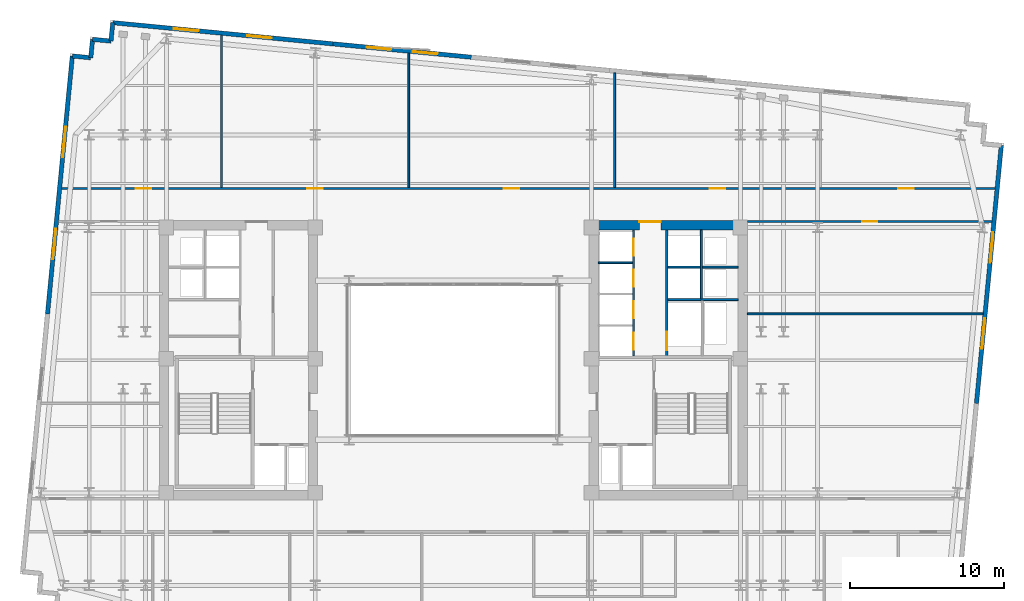
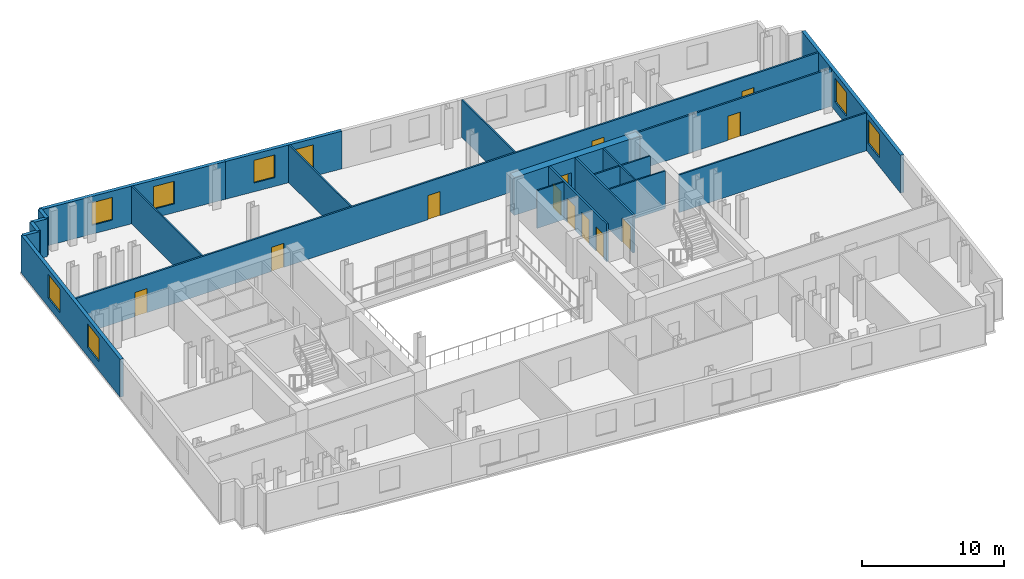
# One storey, part 7 of 10: 22 walls, 12 doors, 8 windows, 20 openings.
"""IFC4 building model written with IfcOpenShell, lengths in metres."""

from ifc_helpers import new_model, si_unit, direction, frame, frame_2d, origin, place, context, subcontext, project, spatial, rectangle, extrude, material, layer, layer_set, type_object, element, fill, save


model = new_model("IFC4")

# Units and contexts
model_context = context("Model", 3, precision=1e-05, world=origin(), true_north=direction((0.0, 1.0)))
body_context = subcontext(model_context, "Body", "Model", "MODEL_VIEW")
ifc_project = project(units=[si_unit("LENGTHUNIT", "METRE"), si_unit("AREAUNIT", "SQUARE_METRE"), si_unit("VOLUMEUNIT", "CUBIC_METRE"), si_unit("PLANEANGLEUNIT", "RADIAN"), si_unit("MASSUNIT", "GRAM", prefix="KILO")], contexts=[model_context])

# Site, building, storey
site_placement = place(None, origin())
site = spatial("IfcSite", under=ifc_project, at=site_placement, CompositionType="ELEMENT")
building_placement = place(site_placement, origin())
building = spatial("IfcBuilding", under=site, at=building_placement, Name="Velakula Bourse", CompositionType="ELEMENT")
storey_placement = place(building_placement, frame((0.0, 0.0, 174.199951171875)))
storey = spatial("IfcBuildingStorey", under=building, at=storey_placement, Name="L47", CompositionType="ELEMENT", Elevation=174.199951171875)

# Wall, opening, door
ifc_material_1 = material(Name="Concrete M70 (fck 70 MPa)", Category="concrete")
ifc_layer_1 = layer(ifc_material_1, 0.60009765625, Name="Concrete M70 (fck 70 MPa)", Category="concrete")
ifc_layer_set_1 = layer_set([ifc_layer_1], Name="Concrete M70 (fck 70 MPa)")
wall_type_1 = type_object("IfcWallType", Name="WL-CORE-600", PredefinedType="SHEAR", material=ifc_layer_set_1)
wall_1_placement = place(storey_placement, frame((8.800048828125, 8.75, 0.0), z_axis=(0.0, 0.0, 1.0), x_axis=(1.0, 0.0, 0.0)))
wall_1 = element("IfcWall", 1, at=wall_1_placement, inside=storey, type_object=wall_type_1, Name="L47 Core E Shear Wall N", PredefinedType="SHEAR", context=body_context, shape_type="SweptSolid", body=[
    extrude(rectangle(XDim=10.25, YDim=0.60009765625, at=frame_2d((5.125, 0.0))), origin(), (0.0, 0.0, 1.0), 3.27001953125),
])
opening_1_placement = place(wall_1_placement, frame((3.25, 0.0, 0.0)))
opening_1 = element("IfcOpeningElement", 2, at=opening_1_placement, cuts=wall_1, Name="Opening D-LLE", PredefinedType="OPENING", context=body_context, shape_type="SweptSolid", body=[
    extrude(rectangle(XDim=1.39990234375, YDim=2.050048828125, at=frame_2d((0.699951171875, 1.02490234375))), frame((0.0, 0.31005859375, 0.0), z_axis=(0.0, -1.0, 0.0), x_axis=(1.0, 0.0, 0.0)), (0.0, 0.0, 1.0), 0.6201171875),
])
ifc_material_2 = material(Name="Fire-rated hardwood flush architectural door", Category="wood")
door_type_1 = type_object("IfcDoorType", Name="DR-DBL-FD60-1400", OperationType="DOUBLE_DOOR_SINGLE_SWING", PredefinedType="DOOR", material=ifc_material_2)
door_1_placement = place(opening_1_placement, origin())
door_1 = element("IfcDoor", 3, at=door_1_placement, inside=storey, type_object=door_type_1, Name="L47 Core E Lift Lobby Corridor Double Door", OperationType="DOUBLE_DOOR_SINGLE_SWING", OverallHeight=2.050048828125, OverallWidth=1.39990234375, PredefinedType="DOOR", context=body_context, shape_type="SweptSolid", body=[
    extrude(rectangle(XDim=1.39990234375, YDim=2.050048828125, at=frame_2d((0.699951171875, 1.02490234375))), frame((0.0, 0.2451171875, 0.0), z_axis=(0.0, -1.0, 0.0), x_axis=(1.0, 0.0, 0.0)), (0.0, 0.0, 1.0), 0.050048828125),
])
fill(opening_1, door_1)

# Wall, openings, windows
ifc_material_3 = material(Name="Red kilned clay facing brick masonry", Category="masonry")
ifc_layer_2 = layer(ifc_material_3, 0.280029296875, Name="Red kilned clay facing brick masonry", Category="masonry")
ifc_layer_set_2 = layer_set([ifc_layer_2], Name="Red kilned clay facing brick masonry")
wall_type_2 = type_object("IfcWallType", Name="WL-EXT-BRK-280", PredefinedType="STANDARD", material=ifc_layer_set_2)
wall_2_placement = place(storey_placement, frame((-22.072509765625, 21.8701171875, 0.0), z_axis=(0.0, 0.0, 1.0), x_axis=(0.995395606285, -0.095851901334, 0.0)))
wall_2 = element("IfcWall", 4, at=wall_2_placement, inside=storey, type_object=wall_type_2, Name="L47 N Brick Spandrel Wall B1", PredefinedType="STANDARD", context=body_context, shape_type="SweptSolid", body=[
    extrude(rectangle(XDim=14.33984375, YDim=0.280029296875, at=frame_2d((7.169921875, 0.0))), origin(), (0.0, 0.0, 1.0), 3.25),
])
opening_2_placement = place(wall_2_placement, frame((3.97998046875, 0.0, 0.760009765625)))
opening_2 = element("IfcOpeningElement", 5, at=opening_2_placement, cuts=wall_2, Name="Opening W-02", PredefinedType="OPENING", context=body_context, shape_type="SweptSolid", body=[
    extrude(rectangle(XDim=1.60009765625, YDim=1.949951171875, at=frame_2d((0.800048828125, 0.97509765625))), frame((0.0, 0.14990234375, 0.0), z_axis=(0.0, -1.0, 0.0), x_axis=(1.0, 0.0, 0.0)), (0.0, 0.0, 1.0), 0.300048828125),
])
opening_3_placement = place(wall_2_placement, frame((8.760009765625, 0.0, 0.760009765625)))
opening_3 = element("IfcOpeningElement", 6, at=opening_3_placement, cuts=wall_2, Name="Opening W-02", PredefinedType="OPENING", context=body_context, shape_type="SweptSolid", body=[
    extrude(rectangle(XDim=1.60009765625, YDim=1.949951171875, at=frame_2d((0.800048828125, 0.97509765625))), frame((0.0, 0.14990234375, 0.0), z_axis=(0.0, -1.0, 0.0), x_axis=(1.0, 0.0, 0.0)), (0.0, 0.0, 1.0), 0.300048828125),
])
ifc_material_4 = material(Name="Double-glazed solar-control Low-E glass", Category="glass")
window_type_1 = type_object("IfcWindowType", Name="WIN-TWR-1600x2100", PartitioningType="SINGLE_PANEL", PredefinedType="WINDOW", material=ifc_material_4)
window_1_placement = place(opening_2_placement, origin())
window_1 = element("IfcWindow", 7, at=window_1_placement, inside=storey, type_object=window_type_1, Name="L47 Deep-Set Recessed Window 1", OverallHeight=1.949951171875, OverallWidth=1.60009765625, PartitioningType="SINGLE_PANEL", PredefinedType="WINDOW", context=body_context, shape_type="SweptSolid", body=[
    extrude(rectangle(XDim=1.60009765625, YDim=1.949951171875, at=frame_2d((0.800048828125, 0.97509765625))), frame((0.0, 0.030029296875, 0.0), z_axis=(0.0, -1.0, 0.0), x_axis=(1.0, 0.0, 0.0)), (0.0, 0.0, 1.0), 0.06005859375),
])
fill(opening_2, window_1)
window_2_placement = place(opening_3_placement, origin())
window_2 = element("IfcWindow", 8, at=window_2_placement, inside=storey, type_object=window_type_1, Name="L47 Deep-Set Recessed Window 2", OverallHeight=1.949951171875, OverallWidth=1.60009765625, PartitioningType="SINGLE_PANEL", PredefinedType="WINDOW", context=body_context, shape_type="SweptSolid", body=[
    extrude(rectangle(XDim=1.60009765625, YDim=1.949951171875, at=frame_2d((0.800048828125, 0.97509765625))), frame((0.0, 0.030029296875, 0.0), z_axis=(0.0, -1.0, 0.0), x_axis=(1.0, 0.0, 0.0)), (0.0, 0.0, 1.0), 0.06005859375),
])
fill(opening_3, window_2)

wall_3_placement = place(storey_placement, frame((-7.798583984375, 20.49560546875, 0.0), z_axis=(0.0, 0.0, 1.0), x_axis=(0.995396794462, -0.09583956164, 0.0)))
wall_3 = element("IfcWall", 9, at=wall_3_placement, inside=storey, type_object=wall_type_2, Name="L47 N Brick Spandrel Wall B2", PredefinedType="STANDARD", context=body_context, shape_type="SweptSolid", body=[
    extrude(rectangle(XDim=9.0, YDim=0.280029296875, at=frame_2d((4.5, 0.0))), origin(), (0.0, 0.0, 1.0), 3.25),
])
opening_4_placement = place(wall_3_placement, frame((2.199951171875, 0.0, 0.760009765625)))
opening_4 = element("IfcOpeningElement", 10, at=opening_4_placement, cuts=wall_3, Name="Opening W-02", PredefinedType="OPENING", context=body_context, shape_type="SweptSolid", body=[
    extrude(rectangle(XDim=1.60009765625, YDim=1.949951171875, at=frame_2d((0.800048828125, 0.97509765625))), frame((0.0, 0.14990234375, 0.0), z_axis=(0.0, -1.0, 0.0), x_axis=(1.0, 0.0, 0.0)), (0.0, 0.0, 1.0), 0.300048828125),
])
opening_5_placement = place(wall_3_placement, frame((5.199951171875, 0.0, 0.760009765625)))
opening_5 = element("IfcOpeningElement", 11, at=opening_5_placement, cuts=wall_3, Name="Opening W-02", PredefinedType="OPENING", context=body_context, shape_type="SweptSolid", body=[
    extrude(rectangle(XDim=1.60009765625, YDim=1.949951171875, at=frame_2d((0.800048828125, 0.97509765625))), frame((0.0, 0.14990234375, 0.0), z_axis=(0.0, -1.0, 0.0), x_axis=(1.0, 0.0, 0.0)), (0.0, 0.0, 1.0), 0.300048828125),
])
window_3_placement = place(opening_4_placement, origin())
window_3 = element("IfcWindow", 12, at=window_3_placement, inside=storey, type_object=window_type_1, Name="L47 Deep-Set Recessed Window 1", OverallHeight=1.949951171875, OverallWidth=1.60009765625, PartitioningType="SINGLE_PANEL", PredefinedType="WINDOW", context=body_context, shape_type="SweptSolid", body=[
    extrude(rectangle(XDim=1.60009765625, YDim=1.949951171875, at=frame_2d((0.800048828125, 0.97509765625))), frame((0.0, 0.030029296875, 0.0), z_axis=(0.0, -1.0, 0.0), x_axis=(1.0, 0.0, 0.0)), (0.0, 0.0, 1.0), 0.06005859375),
])
fill(opening_4, window_3)
window_4_placement = place(opening_5_placement, origin())
window_4 = element("IfcWindow", 13, at=window_4_placement, inside=storey, type_object=window_type_1, Name="L47 Deep-Set Recessed Window 2", OverallHeight=1.949951171875, OverallWidth=1.60009765625, PartitioningType="SINGLE_PANEL", PredefinedType="WINDOW", context=body_context, shape_type="SweptSolid", body=[
    extrude(rectangle(XDim=1.60009765625, YDim=1.949951171875, at=frame_2d((0.800048828125, 0.97509765625))), frame((0.0, 0.030029296875, 0.0), z_axis=(0.0, -1.0, 0.0), x_axis=(1.0, 0.0, 0.0)), (0.0, 0.0, 1.0), 0.06005859375),
])
fill(opening_5, window_4)

wall_4_placement = place(storey_placement, frame((-26.30078125, 2.998291015625, 0.0), z_axis=(0.0, 0.0, 1.0), x_axis=(0.095837640115, 0.99539697947, 0.0)))
wall_4 = element("IfcWall", 14, at=wall_4_placement, inside=storey, type_object=wall_type_2, Name="L47 W Brick End Wall W2", PredefinedType="STANDARD", context=body_context, shape_type="SweptSolid", body=[
    extrude(rectangle(XDim=16.790283203125, YDim=0.280029296875, at=frame_2d((8.39501953125, 0.0))), origin(), (0.0, 0.0, 1.0), 3.25),
])
opening_6_placement = place(wall_4_placement, frame((3.546630859375, 0.0, 0.760009765625)))
opening_6 = element("IfcOpeningElement", 15, at=opening_6_placement, cuts=wall_4, Name="Opening W-05", PredefinedType="OPENING", context=body_context, shape_type="SweptSolid", body=[
    extrude(rectangle(XDim=2.0, YDim=2.050048828125, at=frame_2d((1.0, 1.02490234375))), frame((0.0, 0.14990234375, 0.0), z_axis=(0.0, -1.0, 0.0), x_axis=(1.0, 0.0, 0.0)), (0.0, 0.0, 1.0), 0.300048828125),
])
opening_7_placement = place(wall_4_placement, frame((10.193359375, 0.0, 0.760009765625)))
opening_7 = element("IfcOpeningElement", 16, at=opening_7_placement, cuts=wall_4, Name="Opening W-05", PredefinedType="OPENING", context=body_context, shape_type="SweptSolid", body=[
    extrude(rectangle(XDim=2.0, YDim=2.050048828125, at=frame_2d((1.0, 1.02490234375))), frame((0.0, 0.14990234375, 0.0), z_axis=(0.0, -1.0, 0.0), x_axis=(1.0, 0.0, 0.0)), (0.0, 0.0, 1.0), 0.300048828125),
])
window_type_2 = type_object("IfcWindowType", Name="WIN-TWR-2000x2200", PartitioningType="DOUBLE_PANEL_VERTICAL", PredefinedType="WINDOW", material=ifc_material_4)
window_5_placement = place(opening_6_placement, origin())
window_5 = element("IfcWindow", 17, at=window_5_placement, inside=storey, type_object=window_type_2, Name="L47 Deep-Set Recessed Window 1", OverallHeight=2.050048828125, OverallWidth=2.0, PartitioningType="DOUBLE_PANEL_VERTICAL", PredefinedType="WINDOW", context=body_context, shape_type="SweptSolid", body=[
    extrude(rectangle(XDim=2.0, YDim=2.050048828125, at=frame_2d((1.0, 1.02490234375))), frame((0.0, 0.030029296875, 0.0), z_axis=(0.0, -1.0, 0.0), x_axis=(1.0, 0.0, 0.0)), (0.0, 0.0, 1.0), 0.06005859375),
])
fill(opening_6, window_5)
window_6_placement = place(opening_7_placement, origin())
window_6 = element("IfcWindow", 18, at=window_6_placement, inside=storey, type_object=window_type_2, Name="L47 Deep-Set Recessed Window 2", OverallHeight=2.050048828125, OverallWidth=2.0, PartitioningType="DOUBLE_PANEL_VERTICAL", PredefinedType="WINDOW", context=body_context, shape_type="SweptSolid", body=[
    extrude(rectangle(XDim=2.0, YDim=2.050048828125, at=frame_2d((1.0, 1.02490234375))), frame((0.0, 0.030029296875, 0.0), z_axis=(0.0, -1.0, 0.0), x_axis=(1.0, 0.0, 0.0)), (0.0, 0.0, 1.0), 0.06005859375),
])
fill(opening_7, window_6)

wall_5_placement = place(storey_placement, frame((35.510009765625, 13.914306640625, 0.0), z_axis=(0.0, 0.0, 1.0), x_axis=(-0.095839027265, -0.995396845913, 0.0)))
wall_5 = element("IfcWall", 19, at=wall_5_placement, inside=storey, type_object=wall_type_2, Name="L47 E Brick End Wall W2", PredefinedType="STANDARD", context=body_context, shape_type="SweptSolid", body=[
    extrude(rectangle(XDim=16.7900390625, YDim=0.280029296875, at=frame_2d((8.39501953125, 0.0))), origin(), (0.0, 0.0, 1.0), 3.25),
])
opening_8_placement = place(wall_5_placement, frame((5.646728515625, 0.0, 0.760009765625)))
opening_8 = element("IfcOpeningElement", 20, at=opening_8_placement, cuts=wall_5, Name="Opening W-05", PredefinedType="OPENING", context=body_context, shape_type="SweptSolid", body=[
    extrude(rectangle(XDim=2.0, YDim=2.050048828125, at=frame_2d((1.0, 1.02490234375))), frame((0.0, 0.14990234375, 0.0), z_axis=(0.0, -1.0, 0.0), x_axis=(1.0, 0.0, 0.0)), (0.0, 0.0, 1.0), 0.300048828125),
])
opening_9_placement = place(wall_5_placement, frame((11.243408203125, 0.0, 0.760009765625)))
opening_9 = element("IfcOpeningElement", 21, at=opening_9_placement, cuts=wall_5, Name="Opening W-05", PredefinedType="OPENING", context=body_context, shape_type="SweptSolid", body=[
    extrude(rectangle(XDim=2.0, YDim=2.050048828125, at=frame_2d((1.0, 1.02490234375))), frame((0.0, 0.14990234375, 0.0), z_axis=(0.0, -1.0, 0.0), x_axis=(1.0, 0.0, 0.0)), (0.0, 0.0, 1.0), 0.300048828125),
])
window_7_placement = place(opening_8_placement, origin())
window_7 = element("IfcWindow", 22, at=window_7_placement, inside=storey, type_object=window_type_2, Name="L47 Deep-Set Recessed Window 1", OverallHeight=2.050048828125, OverallWidth=2.0, PartitioningType="DOUBLE_PANEL_VERTICAL", PredefinedType="WINDOW", context=body_context, shape_type="SweptSolid", body=[
    extrude(rectangle(XDim=2.0, YDim=2.050048828125, at=frame_2d((1.0, 1.02490234375))), frame((0.0, 0.030029296875, 0.0), z_axis=(0.0, -1.0, 0.0), x_axis=(1.0, 0.0, 0.0)), (0.0, 0.0, 1.0), 0.06005859375),
])
fill(opening_8, window_7)
window_8_placement = place(opening_9_placement, origin())
window_8 = element("IfcWindow", 23, at=window_8_placement, inside=storey, type_object=window_type_2, Name="L47 Deep-Set Recessed Window 2", OverallHeight=2.050048828125, OverallWidth=2.0, PartitioningType="DOUBLE_PANEL_VERTICAL", PredefinedType="WINDOW", context=body_context, shape_type="SweptSolid", body=[
    extrude(rectangle(XDim=2.0, YDim=2.050048828125, at=frame_2d((1.0, 1.02490234375))), frame((0.0, 0.030029296875, 0.0), z_axis=(0.0, -1.0, 0.0), x_axis=(1.0, 0.0, 0.0)), (0.0, 0.0, 1.0), 0.06005859375),
])
fill(opening_9, window_8)

# Walls
for number, where, z_axis, x_axis, name in (
    (24, (-22.072509765625, 21.8701171875, 0.0), (0.0, 0.0, 1.0), (-0.095817067274, -0.995398960025, 0.0), "L47 Serrated Corner Brick Wall NW-1"),
    (25, (-22.1875, 20.675537109375, 0.0), (0.0, 0.0, 1.0), (-0.995398960025, 0.095817067274, 0.0), "L47 Serrated Corner Brick Wall NW-2"),
    (26, (-23.382080078125, 20.79052734375, 0.0), (0.0, 0.0, 1.0), (-0.095817067274, -0.995398960025, 0.0), "L47 Serrated Corner Brick Wall NW-3"),
    (27, (-23.4970703125, 19.595947265625, 0.0), (0.0, 0.0, 1.0), (-0.995379537303, 0.096018626938, 0.0), "L47 Serrated Corner Brick Wall NW-4"),
):
    element("IfcWall", number, at=place(storey_placement, frame(where, z_axis=z_axis, x_axis=x_axis)), inside=storey, type_object=wall_type_2, Name=name, PredefinedType="STANDARD", context=body_context, shape_type="SweptSolid", body=[
        extrude(rectangle(XDim=1.2001953125, YDim=0.280029296875, at=frame_2d((0.60009765625, 0.0))), origin(), (0.0, 0.0, 1.0), 3.25),
    ])
ifc_material_5 = material(Name="Fire-rated double-layer gypsum drywall partition", Category="gypsum")
ifc_layer_3 = layer(ifc_material_5, 0.1201171875, Name="Fire-rated double-layer gypsum drywall partition", Category="gypsum")
ifc_layer_set_3 = layer_set([ifc_layer_3], Name="Fire-rated double-layer gypsum drywall partition")
wall_type_3 = type_object("IfcWallType", Name="WL-PART-120", PredefinedType="STANDARD", material=ifc_layer_set_3)
wall_6_placement = place(storey_placement, frame((9.39990234375, 6.31494140625, 0.0), z_axis=(0.0, 0.0, 1.0), x_axis=(1.0, 0.0, 0.0)))
element("IfcWall", 28, at=wall_6_placement, inside=storey, type_object=wall_type_3, Name="L47 Interior Partition WL-CRE-L47-BDIV-2", PredefinedType="STANDARD", context=body_context, shape_type="SweptSolid", body=[
    extrude(rectangle(XDim=2.2001953125, YDim=0.110107421875, at=frame_2d((1.10009765625, 0.0))), origin(), (0.0, 0.0, 1.0), 3.25),
])
wall_7_placement = place(storey_placement, frame((13.89990234375, 3.919921875, 0.0), z_axis=(0.0, 0.0, 1.0), x_axis=(1.0, 0.0, 0.0)))
element("IfcWall", 29, at=wall_7_placement, inside=storey, type_object=wall_type_3, Name="L47 Interior Partition WL-CRE-L47-HI-S", PredefinedType="STANDARD", context=body_context, shape_type="SweptSolid", body=[
    extrude(rectangle(XDim=4.550048828125, YDim=0.1201171875, at=frame_2d((2.27490234375, 0.0))), origin(), (0.0, 0.0, 1.0), 3.25),
])
wall_8_placement = place(storey_placement, frame((16.14990234375, 6.030029296875, 0.0), z_axis=(0.0, 0.0, 1.0), x_axis=(1.0, 0.0, 0.0)))
element("IfcWall", 30, at=wall_8_placement, inside=storey, type_object=wall_type_3, Name="L47 Interior Partition WL-CRE-L47-RIS-MID", PredefinedType="STANDARD", context=body_context, shape_type="SweptSolid", body=[
    extrude(rectangle(XDim=2.300048828125, YDim=0.1201171875, at=frame_2d((1.14990234375, 0.0))), origin(), (0.0, 0.0, 1.0), 3.25),
])
wall_9_placement = place(storey_placement, frame((16.074951171875, 3.97998046875, 0.0), z_axis=(0.0, 0.0, 1.0), x_axis=(0.0, 1.0, 0.0)))
element("IfcWall", 31, at=wall_9_placement, inside=storey, type_object=wall_type_3, Name="L47 Interior Partition WL-CRE-L47-RIS-F", PredefinedType="STANDARD", context=body_context, shape_type="SweptSolid", body=[
    extrude(rectangle(XDim=4.469970703125, YDim=0.1201171875, at=frame_2d((2.23486328125, 0.0))), origin(), (0.0, 0.0, 1.0), 3.25),
])
wall_10_placement = place(storey_placement, frame((13.89990234375, 6.030029296875, 0.0), z_axis=(0.0, 0.0, 1.0), x_axis=(1.0, 0.0, 0.0)))
element("IfcWall", 32, at=wall_10_placement, inside=storey, type_object=wall_type_3, Name="L47 Interior Partition WL-CRE-L47-HI-DIV", PredefinedType="STANDARD", context=body_context, shape_type="SweptSolid", body=[
    extrude(rectangle(XDim=2.10009765625, YDim=0.1201171875, at=frame_2d((1.050048828125, 0.0))), origin(), (0.0, 0.0, 1.0), 3.25),
])
wall_11_placement = place(storey_placement, frame((-15.02197265625, 11.18994140625, 0.0), z_axis=(0.0, 0.0, 1.0), x_axis=(0.0, 1.0, 0.0)))
element("IfcWall", 33, at=wall_11_placement, inside=storey, type_object=wall_type_3, Name="L47 Interior Partition WL-INT-L47-N-D1", PredefinedType="STANDARD", context=body_context, shape_type="SweptSolid", body=[
    extrude(rectangle(XDim=9.880615234375, YDim=0.1201171875, at=frame_2d((4.9404296875, 0.0))), origin(), (0.0, 0.0, 1.0), 3.25),
])
wall_12_placement = place(storey_placement, frame((-2.89306640625, 11.18994140625, 0.0), z_axis=(0.0, 0.0, 1.0), x_axis=(0.0, 1.0, 0.0)))
element("IfcWall", 34, at=wall_12_placement, inside=storey, type_object=wall_type_3, Name="L47 Interior Partition WL-INT-L47-N-D2", PredefinedType="STANDARD", context=body_context, shape_type="SweptSolid", body=[
    extrude(rectangle(XDim=8.712646484375, YDim=0.1201171875, at=frame_2d((4.3564453125, 0.0))), origin(), (0.0, 0.0, 1.0), 3.25),
])
wall_13_placement = place(storey_placement, frame((10.448974609375, 11.18994140625, 0.0), z_axis=(0.0, 0.0, 1.0), x_axis=(0.0, 1.0, 0.0)))
element("IfcWall", 35, at=wall_13_placement, inside=storey, type_object=wall_type_3, Name="L47 Interior Partition WL-INT-L47-N-D3", PredefinedType="STANDARD", context=body_context, shape_type="SweptSolid", body=[
    extrude(rectangle(XDim=7.427978515625, YDim=0.1201171875, at=frame_2d((3.7138671875, 0.0))), origin(), (0.0, 0.0, 1.0), 3.25),
])
wall_14_placement = place(storey_placement, frame((19.050048828125, 3.0, 0.0), z_axis=(0.0, 0.0, 1.0), x_axis=(1.0, 0.0, 0.0)))
element("IfcWall", 36, at=wall_14_placement, inside=storey, type_object=wall_type_3, Name="L47 Interior Partition WL-INT-L47-E-H", PredefinedType="STANDARD", context=body_context, shape_type="SweptSolid", body=[
    extrude(rectangle(XDim=15.288330078125, YDim=0.1201171875, at=frame_2d((7.64404296875, 0.0))), origin(), (0.0, 0.0, 1.0), 3.25),
])

# Wall, openings, doors
ifc_layer_4 = layer(ifc_material_5, 0.139892578125, Name="Fire-rated double-layer gypsum drywall partition", Category="gypsum")
ifc_layer_set_4 = layer_set([ifc_layer_4], Name="Fire-rated double-layer gypsum drywall partition")
wall_type_4 = type_object("IfcWallType", Name="WL-PART-140", PredefinedType="STANDARD", material=ifc_layer_set_4)
wall_15_placement = place(storey_placement, frame((-25.398193359375, 11.1201171875, 0.0), z_axis=(0.0, 0.0, 1.0), x_axis=(1.0, 0.0, 0.0)))
wall_15 = element("IfcWall", 37, at=wall_15_placement, inside=storey, type_object=wall_type_4, Name="L47 Interior Partition WL-INT-L47-N-CORR", PredefinedType="STANDARD", context=body_context, shape_type="SweptSolid", body=[
    extrude(rectangle(XDim=60.5185546875, YDim=0.139892578125, at=frame_2d((30.25927734375, 0.0))), origin(), (0.0, 0.0, 1.0), 3.25),
])
opening_10_placement = place(wall_15_placement, frame((4.814208984375, 0.0, 0.0)))
opening_10 = element("IfcOpeningElement", 38, at=opening_10_placement, cuts=wall_15, Name="Opening D-OF1", PredefinedType="OPENING", context=body_context, shape_type="SweptSolid", body=[
    extrude(rectangle(XDim=1.0, YDim=2.080078125, at=frame_2d((0.5, 1.0400390625))), frame((0.0, 0.079833984375, 0.0), z_axis=(0.0, -1.0, 0.0), x_axis=(1.0, 0.0, 0.0)), (0.0, 0.0, 1.0), 0.159912109375),
])
opening_11_placement = place(wall_15_placement, frame((15.940673828125, 0.0, 0.0)))
opening_11 = element("IfcOpeningElement", 39, at=opening_11_placement, cuts=wall_15, Name="Opening D-OF1", PredefinedType="OPENING", context=body_context, shape_type="SweptSolid", body=[
    extrude(rectangle(XDim=1.0, YDim=2.080078125, at=frame_2d((0.5, 1.0400390625))), frame((0.0, 0.079833984375, 0.0), z_axis=(0.0, -1.0, 0.0), x_axis=(1.0, 0.0, 0.0)), (0.0, 0.0, 1.0), 0.159912109375),
])
opening_12_placement = place(wall_15_placement, frame((28.67626953125, 0.0, 0.0)))
opening_12 = element("IfcOpeningElement", 40, at=opening_12_placement, cuts=wall_15, Name="Opening D-OF1", PredefinedType="OPENING", context=body_context, shape_type="SweptSolid", body=[
    extrude(rectangle(XDim=1.0, YDim=2.080078125, at=frame_2d((0.5, 1.0400390625))), frame((0.0, 0.079833984375, 0.0), z_axis=(0.0, -1.0, 0.0), x_axis=(1.0, 0.0, 0.0)), (0.0, 0.0, 1.0), 0.159912109375),
])
opening_13_placement = place(wall_15_placement, frame((42.018310546875, 0.0, 0.0)))
opening_13 = element("IfcOpeningElement", 41, at=opening_13_placement, cuts=wall_15, Name="Opening D-OF1", PredefinedType="OPENING", context=body_context, shape_type="SweptSolid", body=[
    extrude(rectangle(XDim=1.0, YDim=2.080078125, at=frame_2d((0.5, 1.0400390625))), frame((0.0, 0.079833984375, 0.0), z_axis=(0.0, -1.0, 0.0), x_axis=(1.0, 0.0, 0.0)), (0.0, 0.0, 1.0), 0.159912109375),
])
opening_14_placement = place(wall_15_placement, frame((54.227783203125, 0.0, 0.0)))
opening_14 = element("IfcOpeningElement", 42, at=opening_14_placement, cuts=wall_15, Name="Opening D-OF1", PredefinedType="OPENING", context=body_context, shape_type="SweptSolid", body=[
    extrude(rectangle(XDim=1.0, YDim=2.080078125, at=frame_2d((0.5, 1.0400390625))), frame((0.0, 0.079833984375, 0.0), z_axis=(0.0, -1.0, 0.0), x_axis=(1.0, 0.0, 0.0)), (0.0, 0.0, 1.0), 0.159912109375),
])
door_type_2 = type_object("IfcDoorType", Name="DR-OFF-1000", OperationType="NOTDEFINED", PredefinedType="DOOR", material=ifc_material_2)
door_2_placement = place(opening_10_placement, origin())
door_2 = element("IfcDoor", 43, at=door_2_placement, inside=storey, type_object=door_type_2, Name="L47 Cash Equities Dealing Workspace Door", OperationType="SINGLE_SWING_LEFT", OverallHeight=2.080078125, OverallWidth=1.0, PredefinedType="DOOR", context=body_context, shape_type="SweptSolid", body=[
    extrude(rectangle(XDim=1.0, YDim=2.080078125, at=frame_2d((0.5, 1.0400390625))), frame((0.0, 0.02490234375, 0.0), z_axis=(0.0, -1.0, 0.0), x_axis=(1.0, 0.0, 0.0)), (0.0, 0.0, 1.0), 0.050048828125),
])
fill(opening_10, door_2)
door_3_placement = place(opening_11_placement, origin())
door_3 = element("IfcDoor", 44, at=door_3_placement, inside=storey, type_object=door_type_2, Name="L47 Arbitration Conference Room Door", OperationType="SINGLE_SWING_RIGHT", OverallHeight=2.080078125, OverallWidth=1.0, PredefinedType="DOOR", context=body_context, shape_type="SweptSolid", body=[
    extrude(rectangle(XDim=1.0, YDim=2.080078125, at=frame_2d((0.5, 1.0400390625))), frame((0.0, 0.02490234375, 0.0), z_axis=(0.0, -1.0, 0.0), x_axis=(1.0, 0.0, 0.0)), (0.0, 0.0, 1.0), 0.050048828125),
])
fill(opening_11, door_3)
door_4_placement = place(opening_12_placement, origin())
door_4 = element("IfcDoor", 45, at=door_4_placement, inside=storey, type_object=door_type_2, Name="L47 Tea Room Kitchenette Door", OperationType="SINGLE_SWING_LEFT", OverallHeight=2.080078125, OverallWidth=1.0, PredefinedType="DOOR", context=body_context, shape_type="SweptSolid", body=[
    extrude(rectangle(XDim=1.0, YDim=2.080078125, at=frame_2d((0.5, 1.0400390625))), frame((0.0, 0.02490234375, 0.0), z_axis=(0.0, -1.0, 0.0), x_axis=(1.0, 0.0, 0.0)), (0.0, 0.0, 1.0), 0.050048828125),
])
fill(opening_12, door_4)
door_5_placement = place(opening_13_placement, origin())
door_5 = element("IfcDoor", 46, at=door_5_placement, inside=storey, type_object=door_type_2, Name="L47 Sky-Garden Veranda Lounge Door", OperationType="SINGLE_SWING_RIGHT", OverallHeight=2.080078125, OverallWidth=1.0, PredefinedType="DOOR", context=body_context, shape_type="SweptSolid", body=[
    extrude(rectangle(XDim=1.0, YDim=2.080078125, at=frame_2d((0.5, 1.0400390625))), frame((0.0, 0.02490234375, 0.0), z_axis=(0.0, -1.0, 0.0), x_axis=(1.0, 0.0, 0.0)), (0.0, 0.0, 1.0), 0.050048828125),
])
fill(opening_13, door_5)
door_6_placement = place(opening_14_placement, origin())
door_6 = element("IfcDoor", 47, at=door_6_placement, inside=storey, type_object=door_type_2, Name="L47 Company Secretary Office Door", OperationType="SINGLE_SWING_LEFT", OverallHeight=2.080078125, OverallWidth=1.0, PredefinedType="DOOR", context=body_context, shape_type="SweptSolid", body=[
    extrude(rectangle(XDim=1.0, YDim=2.080078125, at=frame_2d((0.5, 1.0400390625))), frame((0.0, 0.02490234375, 0.0), z_axis=(0.0, -1.0, 0.0), x_axis=(1.0, 0.0, 0.0)), (0.0, 0.0, 1.0), 0.050048828125),
])
fill(opening_14, door_6)

# Wall, opening, door
wall_16_placement = place(storey_placement, frame((19.050048828125, 8.97998046875, 0.0), z_axis=(0.0, 0.0, 1.0), x_axis=(1.0, 0.0, 0.0)))
wall_16 = element("IfcWall", 48, at=wall_16_placement, inside=storey, type_object=wall_type_4, Name="L47 Interior Partition WL-INT-L47-E-NC", PredefinedType="STANDARD", context=body_context, shape_type="SweptSolid", body=[
    extrude(rectangle(XDim=15.8642578125, YDim=0.139892578125, at=frame_2d((7.93212890625, 0.0))), origin(), (0.0, 0.0, 1.0), 3.25),
])
opening_15_placement = place(wall_16_placement, frame((7.43212890625, 0.0, 0.0)))
opening_15 = element("IfcOpeningElement", 49, at=opening_15_placement, cuts=wall_16, Name="Opening D-OF1", PredefinedType="OPENING", context=body_context, shape_type="SweptSolid", body=[
    extrude(rectangle(XDim=1.0, YDim=2.080078125, at=frame_2d((0.5, 1.0400390625))), frame((0.0, 0.079833984375, 0.0), z_axis=(0.0, -1.0, 0.0), x_axis=(1.0, 0.0, 0.0)), (0.0, 0.0, 1.0), 0.159912109375),
])
door_7_placement = place(opening_15_placement, origin())
door_7 = element("IfcDoor", 50, at=door_7_placement, inside=storey, type_object=door_type_2, Name="L47 Broadcast Control Office Door", OperationType="SINGLE_SWING_LEFT", OverallHeight=2.080078125, OverallWidth=1.0, PredefinedType="DOOR", context=body_context, shape_type="SweptSolid", body=[
    extrude(rectangle(XDim=1.0, YDim=2.080078125, at=frame_2d((0.5, 1.0400390625))), frame((0.0, 0.02490234375, 0.0), z_axis=(0.0, -1.0, 0.0), x_axis=(1.0, 0.0, 0.0)), (0.0, 0.0, 1.0), 0.050048828125),
])
fill(opening_15, door_7)

# Wall, openings, doors
ifc_material_6 = material(Name="Autoclaved aerated concrete blockwork masonry", Category="masonry")
ifc_layer_5 = layer(ifc_material_6, 0.14990234375, Name="Autoclaved aerated concrete blockwork masonry", Category="masonry")
ifc_layer_set_5 = layer_set([ifc_layer_5], Name="Autoclaved aerated concrete blockwork masonry")
wall_type_5 = type_object("IfcWallType", Name="WL-SHAFT-150", PredefinedType="STANDARD", material=ifc_layer_set_5)
wall_17_placement = place(storey_placement, frame((11.675048828125, 0.27001953125, 0.0), z_axis=(0.0, 0.0, 1.0), x_axis=(0.0, 1.0, 0.0)))
wall_17 = element("IfcWall", 51, at=wall_17_placement, inside=storey, type_object=wall_type_5, Name="L47 Interior Partition WL-CRE-L47-BANK-F", PredefinedType="STANDARD", context=body_context, shape_type="SweptSolid", body=[
    extrude(rectangle(XDim=8.179931640625, YDim=0.14990234375, at=frame_2d((4.08984375, 0.0))), origin(), (0.0, 0.0, 1.0), 3.25),
])
opening_16_placement = place(wall_17_placement, frame((0.419921875, 0.0, 0.0)))
opening_16 = element("IfcOpeningElement", 52, at=opening_16_placement, cuts=wall_17, Name="Opening LD-P5", PredefinedType="OPENING", context=body_context, shape_type="SweptSolid", body=[
    extrude(rectangle(XDim=1.10009765625, YDim=2.10009765625, at=frame_2d((0.550048828125, 1.050048828125))), frame((0.0, 0.0849609375, 0.0), z_axis=(0.0, -1.0, 0.0), x_axis=(1.0, 0.0, 0.0)), (0.0, 0.0, 1.0), 0.169921875),
])
opening_17_placement = place(wall_17_placement, frame((2.449951171875, 0.0, 0.0)))
opening_17 = element("IfcOpeningElement", 53, at=opening_17_placement, cuts=wall_17, Name="Opening LD-P6", PredefinedType="OPENING", context=body_context, shape_type="SweptSolid", body=[
    extrude(rectangle(XDim=1.10009765625, YDim=2.10009765625, at=frame_2d((0.550048828125, 1.050048828125))), frame((0.0, 0.0849609375, 0.0), z_axis=(0.0, -1.0, 0.0), x_axis=(1.0, 0.0, 0.0)), (0.0, 0.0, 1.0), 0.169921875),
])
opening_18_placement = place(wall_17_placement, frame((4.47998046875, 0.0, 0.0)))
opening_18 = element("IfcOpeningElement", 54, at=opening_18_placement, cuts=wall_17, Name="Opening LD-P7", PredefinedType="OPENING", context=body_context, shape_type="SweptSolid", body=[
    extrude(rectangle(XDim=1.10009765625, YDim=2.10009765625, at=frame_2d((0.550048828125, 1.050048828125))), frame((0.0, 0.0849609375, 0.0), z_axis=(0.0, -1.0, 0.0), x_axis=(1.0, 0.0, 0.0)), (0.0, 0.0, 1.0), 0.169921875),
])
opening_19_placement = place(wall_17_placement, frame((6.510009765625, 0.0, 0.0)))
opening_19 = element("IfcOpeningElement", 55, at=opening_19_placement, cuts=wall_17, Name="Opening LD-P8", PredefinedType="OPENING", context=body_context, shape_type="SweptSolid", body=[
    extrude(rectangle(XDim=1.10009765625, YDim=2.10009765625, at=frame_2d((0.550048828125, 1.050048828125))), frame((0.0, 0.0849609375, 0.0), z_axis=(0.0, -1.0, 0.0), x_axis=(1.0, 0.0, 0.0)), (0.0, 0.0, 1.0), 0.169921875),
])
ifc_material_7 = material(Name="Brushed grade 316 stainless steel", Category="steel")
door_type_3 = type_object("IfcDoorType", Name="DR-SLIDE-LD-1100", OperationType="DOUBLE_DOOR_SLIDING", PredefinedType="DOOR", material=ifc_material_7)
door_8_placement = place(opening_16_placement, origin())
door_8 = element("IfcDoor", 56, at=door_8_placement, inside=storey, type_object=door_type_3, Name="L47 Passenger Lift P5 Sliding Landing Door", OperationType="DOUBLE_DOOR_SLIDING", OverallHeight=2.10009765625, OverallWidth=1.10009765625, PredefinedType="DOOR", context=body_context, shape_type="SweptSolid", body=[
    extrude(rectangle(XDim=1.10009765625, YDim=2.10009765625, at=frame_2d((0.550048828125, 1.050048828125))), frame((0.0, 0.02490234375, 0.0), z_axis=(0.0, -1.0, 0.0), x_axis=(1.0, 0.0, 0.0)), (0.0, 0.0, 1.0), 0.050048828125),
])
fill(opening_16, door_8)
door_9_placement = place(opening_17_placement, origin())
door_9 = element("IfcDoor", 57, at=door_9_placement, inside=storey, type_object=door_type_3, Name="L47 Passenger Lift P6 Sliding Landing Door", OperationType="DOUBLE_DOOR_SLIDING", OverallHeight=2.10009765625, OverallWidth=1.10009765625, PredefinedType="DOOR", context=body_context, shape_type="SweptSolid", body=[
    extrude(rectangle(XDim=1.10009765625, YDim=2.10009765625, at=frame_2d((0.550048828125, 1.050048828125))), frame((0.0, 0.02490234375, 0.0), z_axis=(0.0, -1.0, 0.0), x_axis=(1.0, 0.0, 0.0)), (0.0, 0.0, 1.0), 0.050048828125),
])
fill(opening_17, door_9)
door_10_placement = place(opening_18_placement, origin())
door_10 = element("IfcDoor", 58, at=door_10_placement, inside=storey, type_object=door_type_3, Name="L47 Passenger Lift P7 Sliding Landing Door", OperationType="DOUBLE_DOOR_SLIDING", OverallHeight=2.10009765625, OverallWidth=1.10009765625, PredefinedType="DOOR", context=body_context, shape_type="SweptSolid", body=[
    extrude(rectangle(XDim=1.10009765625, YDim=2.10009765625, at=frame_2d((0.550048828125, 1.050048828125))), frame((0.0, 0.02490234375, 0.0), z_axis=(0.0, -1.0, 0.0), x_axis=(1.0, 0.0, 0.0)), (0.0, 0.0, 1.0), 0.050048828125),
])
fill(opening_18, door_10)
door_11_placement = place(opening_19_placement, origin())
door_11 = element("IfcDoor", 59, at=door_11_placement, inside=storey, type_object=door_type_3, Name="L47 Passenger Lift P8 Sliding Landing Door", OperationType="DOUBLE_DOOR_SLIDING", OverallHeight=2.10009765625, OverallWidth=1.10009765625, PredefinedType="DOOR", context=body_context, shape_type="SweptSolid", body=[
    extrude(rectangle(XDim=1.10009765625, YDim=2.10009765625, at=frame_2d((0.550048828125, 1.050048828125))), frame((0.0, 0.02490234375, 0.0), z_axis=(0.0, -1.0, 0.0), x_axis=(1.0, 0.0, 0.0)), (0.0, 0.0, 1.0), 0.050048828125),
])
fill(opening_19, door_11)

# Wall, opening, door
wall_18_placement = place(storey_placement, frame((13.824951171875, 0.27001953125, 0.0), z_axis=(0.0, 0.0, 1.0), x_axis=(0.0, 1.0, 0.0)))
wall_18 = element("IfcWall", 60, at=wall_18_placement, inside=storey, type_object=wall_type_5, Name="L47 Interior Partition WL-CRE-L47-OUT-F", PredefinedType="STANDARD", context=body_context, shape_type="SweptSolid", body=[
    extrude(rectangle(XDim=8.179931640625, YDim=0.14990234375, at=frame_2d((4.08984375, 0.0))), origin(), (0.0, 0.0, 1.0), 3.25),
])
opening_20_placement = place(wall_18_placement, frame((0.3798828125, 0.0, 0.0)))
opening_20 = element("IfcOpeningElement", 61, at=opening_20_placement, cuts=wall_18, Name="Opening LD-SVL1", PredefinedType="OPENING", context=body_context, shape_type="SweptSolid", body=[
    extrude(rectangle(XDim=1.199951171875, YDim=2.10009765625, at=frame_2d((0.60009765625, 1.050048828125))), frame((0.0, 0.0849609375, 0.0), z_axis=(0.0, -1.0, 0.0), x_axis=(1.0, 0.0, 0.0)), (0.0, 0.0, 1.0), 0.169921875),
])
door_type_4 = type_object("IfcDoorType", Name="DR-SLIDE-LD-1200", OperationType="DOUBLE_DOOR_SLIDING", PredefinedType="DOOR", material=ifc_material_7)
door_12_placement = place(opening_20_placement, origin())
door_12 = element("IfcDoor", 62, at=door_12_placement, inside=storey, type_object=door_type_4, Name="L47 Service Lift SVL-1 Sliding Landing Door", OperationType="DOUBLE_DOOR_SLIDING", OverallHeight=2.10009765625, OverallWidth=1.199951171875, PredefinedType="DOOR", context=body_context, shape_type="SweptSolid", body=[
    extrude(rectangle(XDim=1.199951171875, YDim=2.10009765625, at=frame_2d((0.60009765625, 1.050048828125))), frame((0.0, 0.02490234375, 0.0), z_axis=(0.0, -1.0, 0.0), x_axis=(1.0, 0.0, 0.0)), (0.0, 0.0, 1.0), 0.050048828125),
])
fill(opening_20, door_12)

save(model, "model.ifc")
